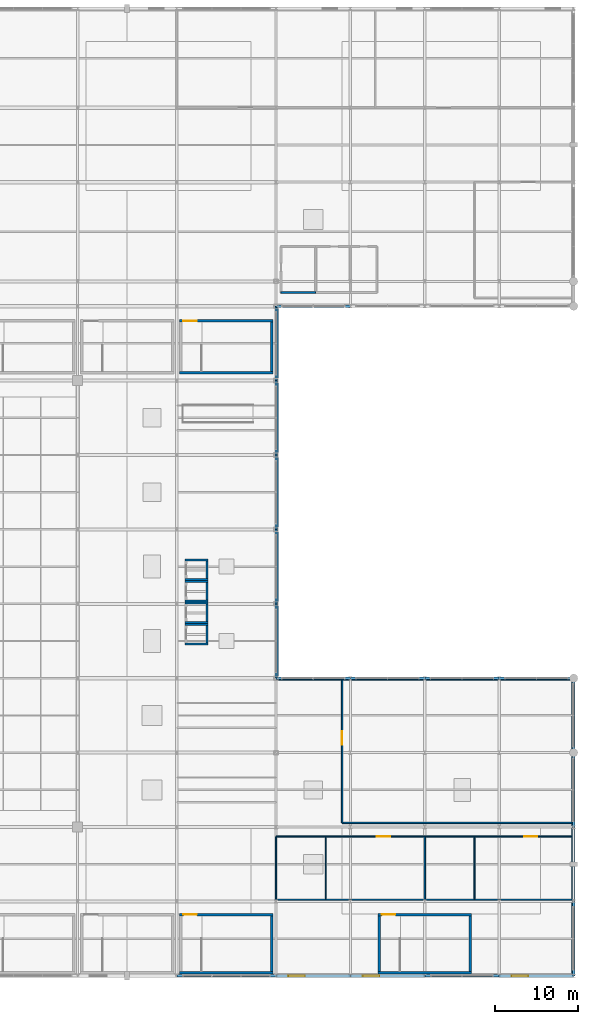
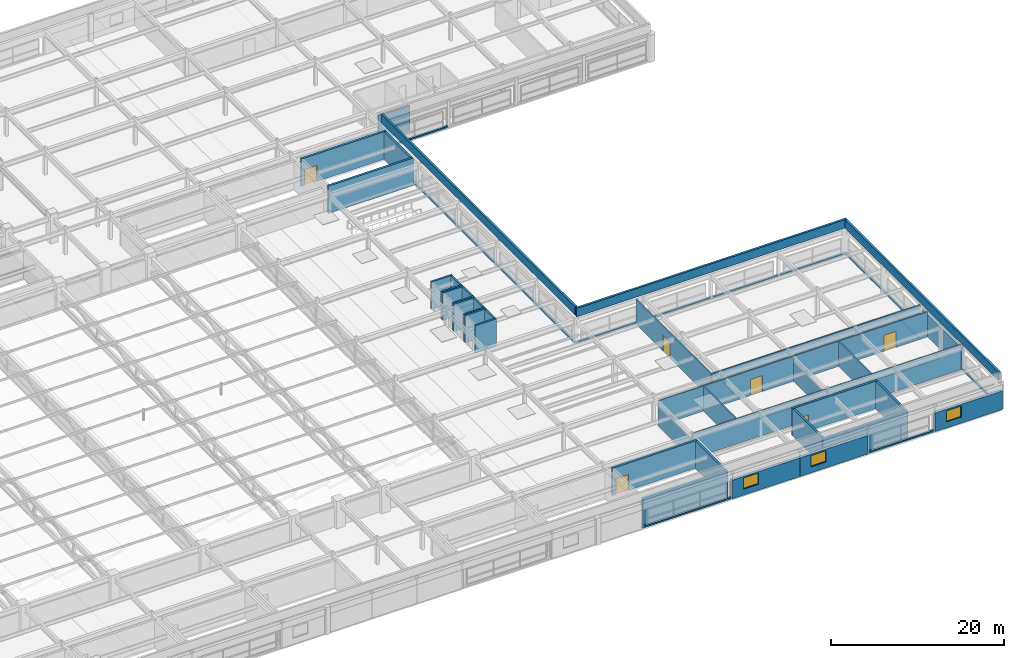
# One storey, part 97 of 108: 55 walls, 6 doors, 3 windows, 9 openings.
"""IFC4 building model written with IfcOpenShell, lengths in metres."""

import ifcopenshell
import ifcopenshell.guid

model = None  # the IFC model being written
_history = None  # IfcOwnerHistory: only IFC2X3 demands one
_inside = {}  # id of a spatial element -> (the spatial element, [elements in it])
_under = {}  # id of a project, library or spatial element -> (it, [spatial elements below it])
_declared = {}  # id of a project -> (the project, [libraries it declares])
_typed = {}  # id of a type object -> (the type object, [elements of that type])
_made_of = {}  # id of a material, layer set ... -> (it, [elements and type objects made of it])


def new_model(schema):
    """Start an empty IFC model of exactly this schema.

    Asked for "IFC4X3", IfcOpenShell would pick the latest addendum, in which some entities
    have other attributes; the version numbers below select the first issue.
    IFC2X3 requires an IfcOwnerHistory on every rooted entity: one is made here for all.
    """
    global model, _history
    if schema == "IFC4X3":
        model = ifcopenshell.file(schema_version=(4, 3, 0, 0))
    else:
        model = ifcopenshell.file(schema=schema)
    _inside.clear()
    _under.clear()
    _declared.clear()
    _typed.clear()
    _made_of.clear()
    _history = None
    if model.schema == "IFC2X3":
        org = make("IfcOrganization", Name="unknown")
        user = make(
            "IfcPersonAndOrganization",
            ThePerson=make("IfcPerson", FamilyName="unknown"),
            TheOrganization=org,
        )
        app = make(
            "IfcApplication",
            ApplicationDeveloper=org,
            Version="unknown",
            ApplicationFullName="unknown",
            ApplicationIdentifier="unknown",
        )
        _history = make(
            "IfcOwnerHistory",
            OwningUser=user,
            OwningApplication=app,
            ChangeAction="ADDED",
            CreationDate=0,
        )
    return model


def make(cls, **values):
    """One entity of the class cls with the attributes given. An attribute that is None is left unset."""
    return model.create_entity(
        cls, **{name: value for name, value in values.items() if value is not None}
    )


def rooted(cls, **values):
    """An entity with a GlobalId (a new one), such as an element, a storey or a relation."""
    return make(cls, GlobalId=ifcopenshell.guid.new(), OwnerHistory=_history, **values)


def si_unit(unit_type, name, prefix=None):
    """IfcSIUnit, for example si_unit("LENGTHUNIT", "METRE", prefix="MILLI")."""
    return make("IfcSIUnit", UnitType=unit_type, Prefix=prefix, Name=name)


def assignment(units):
    """IfcUnitAssignment: the units of a project."""
    return None if units is None else make("IfcUnitAssignment", Units=units)


def point(xyz):
    """IfcCartesianPoint."""
    return None if xyz is None else make("IfcCartesianPoint", Coordinates=xyz)


def direction(xyz):
    """IfcDirection."""
    return None if xyz is None else make("IfcDirection", DirectionRatios=xyz)


def frame(location, z_axis=None, x_axis=None):
    """IfcAxis2Placement3D, a coordinate frame: its origin and axes. An axis left out is left unset."""
    return make(
        "IfcAxis2Placement3D",
        Location=point(location),
        Axis=direction(z_axis),
        RefDirection=direction(x_axis),
    )


def frame_2d(location, x_axis=None):
    """IfcAxis2Placement2D, a coordinate frame in the plane: its origin and x axis."""
    return make(
        "IfcAxis2Placement2D", Location=point(location), RefDirection=direction(x_axis)
    )


def origin():
    """The frame at (0, 0, 0) with its axes left unset."""
    return frame((0.0, 0.0, 0.0))


def place(relative_to, where):
    """IfcLocalPlacement: puts the frame where relative to a parent placement (None: the world)."""
    return make(
        "IfcLocalPlacement", PlacementRelTo=relative_to, RelativePlacement=where
    )


def context(
    kind, dimensions, precision=None, world=None, true_north=None, identifier=None
):
    """IfcGeometricRepresentationContext, for example the 3D "Model" context."""
    return make(
        "IfcGeometricRepresentationContext",
        ContextIdentifier=identifier,
        ContextType=kind,
        CoordinateSpaceDimension=dimensions,
        Precision=precision,
        WorldCoordinateSystem=world,
        TrueNorth=true_north,
    )


def subcontext(parent, identifier, kind, view, scale=None):
    """IfcGeometricRepresentationSubContext, for example "Body" below "Model"."""
    return make(
        "IfcGeometricRepresentationSubContext",
        ContextIdentifier=identifier,
        ContextType=kind,
        ParentContext=parent,
        TargetScale=scale,
        TargetView=view,
    )


def project(units=None, contexts=None):
    """IfcProject with its units and contexts."""
    return rooted(
        "IfcProject",
        Name="project",
        RepresentationContexts=contexts,
        UnitsInContext=assignment(units),
    )


def spatial(cls, under=None, at=None, **own):
    """A site, building, storey or space (cls), placed at a placement, below another one or the project."""
    s = rooted(cls, ObjectPlacement=at, **own)
    if under is not None:
        _under.setdefault(under.id(), (under, []))[1].append(s)
    return s


def profile(cls, at=None, kind="AREA", **sizes):
    """A parametric profile (cls). Its sizes go by their IFC names, for example OverallWidth=200.0."""
    return make(cls, ProfileType=kind, Position=at, **sizes)


def rectangle(**sizes):
    """IfcRectangleProfileDef."""
    return profile("IfcRectangleProfileDef", **sizes)


def extrude(swept, where, along, depth):
    """IfcExtrudedAreaSolid: the profile swept, set in the frame where, extruded along a direction by depth."""
    return make(
        "IfcExtrudedAreaSolid",
        SweptArea=swept,
        Position=where,
        ExtrudedDirection=direction(along),
        Depth=depth,
    )


def shape(context_of_items, identifier, shape_type, items):
    """IfcShapeRepresentation: the items that make up one representation, for example the "Body"."""
    return make(
        "IfcShapeRepresentation",
        ContextOfItems=context_of_items,
        RepresentationIdentifier=identifier,
        RepresentationType=shape_type,
        Items=items,
    )


def material(Name=None, Category=None):
    """IfcMaterial."""
    return make("IfcMaterial", Name=Name, Category=Category)


def layer(
    of_material, thickness, ventilated=None, Name=None, Category=None, Priority=None
):
    """IfcMaterialLayer: one layer of a wall or slab, of a material (None: an air gap)."""
    return make(
        "IfcMaterialLayer",
        Material=of_material,
        LayerThickness=thickness,
        IsVentilated=ventilated,
        Name=Name,
        Category=Category,
        Priority=Priority,
    )


def layer_set(layers, Name=None):
    """IfcMaterialLayerSet."""
    return make("IfcMaterialLayerSet", MaterialLayers=layers, LayerSetName=Name)


def made_of(thing, what):
    """Note that an element or type object is made of a material, layer set ...; save() writes the relation."""
    if what is not None:
        _made_of.setdefault(what.id(), (what, []))[1].append(thing)
    return thing


def type_object(cls, material=None, **own):
    """A type object (cls), such as IfcWallType, which elements share."""
    return made_of(rooted(cls, **own), material)


def element(
    cls,
    number,
    at=None,
    inside=None,
    cuts=None,
    type_object=None,
    material=None,
    context=None,
    identifier="Body",
    shape_type=None,
    held_by="IfcProductDefinitionShape",
    body=None,
    shapes=None,
    **own,
):
    """One element of the class cls, such as IfcWall. Its Tag is "e" and its number.

    at: its placement. inside: the storey or other place that contains it. cuts: it is an
    opening in that element (IfcRelVoidsElement). A single representation is given by context,
    identifier, shape_type and body (its items); several are given by shapes. held_by: the class
    of the entity that holds the representations. save() writes the other relations.
    """
    e = rooted(cls, Tag="e%d" % number, ObjectPlacement=at, **own)
    if body is not None:
        shapes = [shape(context, identifier, shape_type, body)]
    if shapes is not None:
        e.Representation = make(held_by, Representations=shapes)
    if inside is not None:
        _inside.setdefault(inside.id(), (inside, []))[1].append(e)
    if cuts is not None:
        rooted(
            "IfcRelVoidsElement", RelatingBuildingElement=cuts, RelatedOpeningElement=e
        )
    if type_object is not None:
        _typed.setdefault(type_object.id(), (type_object, []))[1].append(e)
    return made_of(e, material)


def fill(opening, filler):
    """IfcRelFillsElement: the door or window that sits in an opening."""
    return rooted(
        "IfcRelFillsElement",
        RelatingOpeningElement=opening,
        RelatedBuildingElement=filler,
    )


def aggregate(whole, parts):
    """IfcRelAggregates: a whole, such as a stair, and the parts it consists of."""
    return rooted("IfcRelAggregates", RelatingObject=whole, RelatedObjects=parts)


def save(model, path):
    """Write the relations noted so far, then the file.

    IfcRelAggregates (storeys below a building ...), IfcRelContainedInSpatialStructure (elements
    in a storey), IfcRelDefinesByType, IfcRelAssociatesMaterial and IfcRelDeclares: one each for
    every whole, place, type object, material and project.
    """
    for whole, parts in _under.values():
        aggregate(whole, parts)
    for where, things in _inside.values():
        rooted(
            "IfcRelContainedInSpatialStructure",
            RelatedElements=things,
            RelatingStructure=where,
        )
    for kind, things in _typed.values():
        rooted("IfcRelDefinesByType", RelatedObjects=things, RelatingType=kind)
    for what, things in _made_of.values():
        rooted("IfcRelAssociatesMaterial", RelatedObjects=things, RelatingMaterial=what)
    for by, libraries in _declared.values():
        rooted("IfcRelDeclares", RelatingContext=by, RelatedDefinitions=libraries)
    model.write(path)


model = new_model("IFC4")

# Units and contexts
model_context = context("Model", 3, precision=1e-05, world=origin(), true_north=direction((0.0, 1.0)))
body_context = subcontext(model_context, "Body", "Model", "MODEL_VIEW")
ifc_project = project(units=[si_unit("LENGTHUNIT", "METRE"), si_unit("AREAUNIT", "SQUARE_METRE"), si_unit("VOLUMEUNIT", "CUBIC_METRE"), si_unit("PLANEANGLEUNIT", "RADIAN"), si_unit("MASSUNIT", "GRAM", prefix="KILO")], contexts=[model_context])

# Site, building, storey
site_placement = place(None, origin())
site = spatial("IfcSite", under=ifc_project, at=site_placement, CompositionType="ELEMENT")
building_placement = place(site_placement, origin())
building = spatial("IfcBuilding", under=site, at=building_placement, Name="Kaldorvane Square Convention Centre", CompositionType="ELEMENT")
storey_placement = place(building_placement, frame((0.0, 0.0, 23.399993896484375)))
storey = spatial("IfcBuildingStorey", under=building, at=storey_placement, Name="L04", CompositionType="ELEMENT", Elevation=23.399993896484375)

# Wall
ifc_material_1 = material(Name="Fire-Rated Gypsum Board on Acoustic Steel Studs", Category="steel")
ifc_layer_1 = layer(ifc_material_1, 0.1999969482421875)
ifc_layer_set_1 = layer_set([ifc_layer_1], Name="Fire-Rated Gypsum Board on Acoustic Steel Studs")
wall_type_1 = type_object("IfcWallType", Name="WL-CORR-200", PredefinedType="PARTITIONING", material=ifc_layer_set_1)
wall_1_placement = place(storey_placement, frame((138.60000610351562, 82.64999389648438, 0.0), z_axis=(0.0, 0.0, 1.0), x_axis=(1.0, 0.0, 0.0)))
element("IfcWall", 1, at=wall_1_placement, inside=storey, type_object=wall_type_1, Name="East Concourse Men's Restroom (L04) S Wall", PredefinedType="PARTITIONING", context=body_context, shape_type="SweptSolid", body=[
    extrude(rectangle(XDim=4.1999969482421875, YDim=0.1999969482421875, at=frame_2d((2.100006103515625, 0.0))), origin(), (0.0, 0.0, 1.0), 3.529998779296875),
])

# Wall, opening, window
ifc_material_2 = material(Name="Concrete f'c = 42 MPa (Normalweight)", Category="concrete")
ifc_layer_2 = layer(ifc_material_2, 0.3800048828125)
ifc_layer_set_2 = layer_set([ifc_layer_2], Name="Concrete f'c = 42 MPa (Normalweight)")
wall_type_2 = type_object("IfcWallType", Name="WL-EXT-380", PredefinedType="STANDARD", material=ifc_layer_set_2)
wall_2_placement = place(storey_placement, frame((138.0, 0.0, 0.0), z_axis=(0.0, 0.0, 1.0), x_axis=(1.0, 0.0, 0.0)))
wall_2 = element("IfcWall", 2, at=wall_2_placement, inside=storey, type_object=wall_type_2, Name="South Square Brutalist Facade Wall (L04)", PredefinedType="STANDARD", context=body_context, shape_type="SweptSolid", body=[
    extrude(rectangle(XDim=9.0, YDim=0.3800048828125, at=frame_2d((4.5, 0.0))), origin(), (0.0, 0.0, 1.0), 2.626007080078125),
])
opening_1_placement = place(wall_2_placement, frame((1.5, 0.0, 0.850006103515625)))
opening_1 = element("IfcOpeningElement", 3, at=opening_1_placement, cuts=wall_2, Name="Opening W-21", PredefinedType="OPENING", context=body_context, shape_type="SweptSolid", body=[
    extrude(rectangle(XDim=2.0, YDim=1.55999755859375, at=frame_2d((1.0, 0.779998779296875))), frame((0.0, 0.2050018310546875, 0.0), z_axis=(0.0, -1.0, 0.0), x_axis=(1.0, 0.0, 0.0)), (0.0, 0.0, 1.0), 0.410003662109375),
])
ifc_material_3 = material(Name="Anodized Aluminum and Low-E Insulated Glazing", Category="aluminium")
window_type = type_object("IfcWindowType", Name="WN-POD-2000X1850", PartitioningType="DOUBLE_PANEL_VERTICAL", PredefinedType="WINDOW", material=ifc_material_3)
window_1_placement = place(opening_1_placement, origin())
window_1 = element("IfcWindow", 4, at=window_1_placement, inside=storey, type_object=window_type, Name="South Facade Window (L04)", OverallHeight=1.55999755859375, OverallWidth=2.0, PartitioningType="DOUBLE_PANEL_VERTICAL", PredefinedType="WINDOW", context=body_context, shape_type="SweptSolid", body=[
    extrude(rectangle(XDim=2.0, YDim=1.55999755859375, at=frame_2d((1.0, 0.779998779296875))), frame((0.0, 0.029998779296875, 0.0), z_axis=(0.0, -1.0, 0.0), x_axis=(1.0, 0.0, 0.0)), (0.0, 0.0, 1.0), 0.05999755859375),
])
fill(opening_1, window_1)

wall_3_placement = place(storey_placement, frame((147.0, 0.0, 0.0), z_axis=(0.0, 0.0, 1.0), x_axis=(1.0, 0.0, 0.0)))
wall_3 = element("IfcWall", 5, at=wall_3_placement, inside=storey, type_object=wall_type_2, Name="South Square Brutalist Facade Wall (L04)", PredefinedType="STANDARD", context=body_context, shape_type="SweptSolid", body=[
    extrude(rectangle(XDim=9.0, YDim=0.3800048828125, at=frame_2d((4.5, 0.0))), origin(), (0.0, 0.0, 1.0), 2.626007080078125),
])
opening_2_placement = place(wall_3_placement, frame((1.5, 0.0, 0.850006103515625)))
opening_2 = element("IfcOpeningElement", 6, at=opening_2_placement, cuts=wall_3, Name="Opening W-21", PredefinedType="OPENING", context=body_context, shape_type="SweptSolid", body=[
    extrude(rectangle(XDim=2.0, YDim=1.55999755859375, at=frame_2d((1.0, 0.779998779296875))), frame((0.0, 0.2050018310546875, 0.0), z_axis=(0.0, -1.0, 0.0), x_axis=(1.0, 0.0, 0.0)), (0.0, 0.0, 1.0), 0.410003662109375),
])
window_2_placement = place(opening_2_placement, origin())
window_2 = element("IfcWindow", 7, at=window_2_placement, inside=storey, type_object=window_type, Name="South Facade Window (L04)", OverallHeight=1.55999755859375, OverallWidth=2.0, PartitioningType="DOUBLE_PANEL_VERTICAL", PredefinedType="WINDOW", context=body_context, shape_type="SweptSolid", body=[
    extrude(rectangle(XDim=2.0, YDim=1.55999755859375, at=frame_2d((1.0, 0.779998779296875))), frame((0.0, 0.029998779296875, 0.0), z_axis=(0.0, -1.0, 0.0), x_axis=(1.0, 0.0, 0.0)), (0.0, 0.0, 1.0), 0.05999755859375),
])
fill(opening_2, window_2)

wall_4_placement = place(storey_placement, frame((165.0, 0.0, 0.0), z_axis=(0.0, 0.0, 1.0), x_axis=(1.0, 0.0, 0.0)))
wall_4 = element("IfcWall", 8, at=wall_4_placement, inside=storey, type_object=wall_type_2, Name="South Square Brutalist Facade Wall (L04)", PredefinedType="STANDARD", context=body_context, shape_type="SweptSolid", body=[
    extrude(rectangle(XDim=9.0, YDim=0.3800048828125, at=frame_2d((4.5, 0.0))), origin(), (0.0, 0.0, 1.0), 2.626007080078125),
])
opening_3_placement = place(wall_4_placement, frame((1.5, 0.0, 0.850006103515625)))
opening_3 = element("IfcOpeningElement", 9, at=opening_3_placement, cuts=wall_4, Name="Opening W-21", PredefinedType="OPENING", context=body_context, shape_type="SweptSolid", body=[
    extrude(rectangle(XDim=2.0, YDim=1.55999755859375, at=frame_2d((1.0, 0.779998779296875))), frame((0.0, 0.2050018310546875, 0.0), z_axis=(0.0, -1.0, 0.0), x_axis=(1.0, 0.0, 0.0)), (0.0, 0.0, 1.0), 0.410003662109375),
])
window_3_placement = place(opening_3_placement, origin())
window_3 = element("IfcWindow", 10, at=window_3_placement, inside=storey, type_object=window_type, Name="South Facade Window (L04)", OverallHeight=1.55999755859375, OverallWidth=2.0, PartitioningType="DOUBLE_PANEL_VERTICAL", PredefinedType="WINDOW", context=body_context, shape_type="SweptSolid", body=[
    extrude(rectangle(XDim=2.0, YDim=1.55999755859375, at=frame_2d((1.0, 0.779998779296875))), frame((0.0, 0.029998779296875, 0.0), z_axis=(0.0, -1.0, 0.0), x_axis=(1.0, 0.0, 0.0)), (0.0, 0.0, 1.0), 0.05999755859375),
])
fill(opening_3, window_3)

# Walls
wall_5_placement = place(storey_placement, frame((174.0, 9.0, 0.0), z_axis=(0.0, 0.0, 1.0), x_axis=(0.0, 1.0, 0.0)))
element("IfcWall", 11, at=wall_5_placement, inside=storey, type_object=wall_type_2, Name="East Square Brutalist Wing Wall (L04)", PredefinedType="STANDARD", context=body_context, shape_type="SweptSolid", body=[
    extrude(rectangle(XDim=9.0, YDim=0.3800048828125, at=frame_2d((4.5, 0.0))), origin(), (0.0, 0.0, 1.0), 3.1190032958984375),
])
ifc_layer_3 = layer(ifc_material_1, 0.1399993896484375)
ifc_layer_set_3 = layer_set([ifc_layer_3], Name="Fire-Rated Gypsum Board on Acoustic Steel Studs")
wall_type_3 = type_object("IfcWallType", Name="WL-MOV-140", PredefinedType="MOVABLE", material=ifc_layer_set_3)
for number, where, z_axis, x_axis, name in (
    (12, (144.0, 9.25, 0.0), (0.0, 0.0, 1.0), (0.0, 1.0, 0.0), "Operable Acoustic Partition MP-41 (L04)"),
    (13, (162.0, 9.25, 0.0), (0.0, 0.0, 1.0), (0.0, 1.0, 0.0), "Operable Acoustic Partition MP-42 (L04)"),
):
    element("IfcWall", number, at=place(storey_placement, frame(where, z_axis=z_axis, x_axis=x_axis)), inside=storey, type_object=wall_type_3, Name=name, PredefinedType="MOVABLE", context=body_context, shape_type="SweptSolid", body=[
        extrude(rectangle(XDim=7.5500030517578125, YDim=0.1399993896484375, at=frame_2d((3.774993896484375, 0.0))), origin(), (0.0, 0.0, 1.0), 3.529998779296875),
    ])
ifc_material_4 = material(Name="Concrete f'c = 35 MPa (Normalweight)", Category="concrete")
ifc_layer_4 = layer(ifc_material_4, 0.279998779296875)
ifc_layer_set_4 = layer_set([ifc_layer_4], Name="Concrete f'c = 35 MPa (Normalweight)")
wall_type_4 = type_object("IfcWallType", Name="WL-PAR-280", PredefinedType="PARAPET", material=ifc_layer_set_4)
wall_6_placement = place(storey_placement, frame((126.0, 0.0, 0.0), z_axis=(0.0, 0.0, 1.0), x_axis=(1.0, 0.0, 0.0)))
element("IfcWall", 14, at=wall_6_placement, inside=storey, type_object=wall_type_4, Name="Curtain-Wall Sill Kerb (L04)", PredefinedType="PARAPET", context=body_context, shape_type="SweptSolid", body=[
    extrude(rectangle(XDim=12.0, YDim=0.279998779296875, at=frame_2d((6.0, 0.0))), origin(), (0.0, 0.0, 1.0), 0.20001220703125),
])
for number, where, z_axis, x_axis, name in (
    (15, (156.0, 0.0, 0.0), (0.0, 0.0, 1.0), (1.0, 0.0, 0.0), "Curtain-Wall Sill Kerb (L04)"),
    (16, (174.0, 0.0, 0.0), (0.0, 0.0, 1.0), (0.0, 1.0, 0.0), "East Curtain-Wall Sill Kerb (L04)"),
    (17, (174.0, 18.0, 0.0), (0.0, 0.0, 1.0), (0.0, 1.0, 0.0), "East Curtain-Wall Sill Kerb (L04)"),
    (18, (174.0, 27.0, 0.0), (0.0, 0.0, 1.0), (0.0, 1.0, 0.0), "East Curtain-Wall Sill Kerb (L04)"),
    (19, (147.0, 36.0, 0.0), (0.0, 0.0, 1.0), (-1.0, 0.0, 0.0), "Forecourt Glazing Sill (L04)"),
    (20, (156.0, 36.0, 0.0), (0.0, 0.0, 1.0), (-1.0, 0.0, 0.0), "Forecourt Glazing Sill (L04)"),
    (21, (165.0, 36.0, 0.0), (0.0, 0.0, 1.0), (-1.0, 0.0, 0.0), "Forecourt Glazing Sill (L04)"),
    (22, (174.0, 36.0, 0.0), (0.0, 0.0, 1.0), (-1.0, 0.0, 0.0), "Forecourt Glazing Sill (L04)"),
    (23, (138.0, 36.0, 0.0), (0.0, 0.0, 1.0), (0.0, 1.0, 0.0), "Forecourt Glazing Sill (L04)"),
    (24, (138.0, 45.0, 0.0), (0.0, 0.0, 1.0), (0.0, 1.0, 0.0), "Forecourt Glazing Sill (L04)"),
    (25, (138.0, 54.0, 0.0), (0.0, 0.0, 1.0), (0.0, 1.0, 0.0), "Forecourt Glazing Sill (L04)"),
    (26, (138.0, 63.0, 0.0), (0.0, 0.0, 1.0), (0.0, 1.0, 0.0), "Forecourt Glazing Sill (L04)"),
    (27, (138.0, 72.0, 0.0), (0.0, 0.0, 1.0), (0.0, 1.0, 0.0), "Forecourt Glazing Sill (L04)"),
    (28, (138.0, 81.0, 0.0), (0.0, 0.0, 1.0), (1.0, 0.0, 0.0), "Forecourt Glazing Sill (L04)"),
):
    element("IfcWall", number, at=place(storey_placement, frame(where, z_axis=z_axis, x_axis=x_axis)), inside=storey, type_object=wall_type_4, Name=name, PredefinedType="PARAPET", context=body_context, shape_type="SweptSolid", body=[
        extrude(rectangle(XDim=9.0, YDim=0.279998779296875, at=frame_2d((4.5, 0.0))), origin(), (0.0, 0.0, 1.0), 0.20001220703125),
    ])
wall_7_placement = place(storey_placement, frame((173.86000061035156, 0.279998779296875, 3.850006103515625), z_axis=(0.0, 0.0, 1.0), x_axis=(0.0, 1.0, 0.0)))
element("IfcWall", 29, at=wall_7_placement, inside=storey, type_object=wall_type_4, Name="Podium Roof Parapet ES", PredefinedType="PARAPET", context=body_context, shape_type="SweptSolid", body=[
    extrude(rectangle(XDim=35.44000244140625, YDim=0.279998779296875, at=frame_2d((17.720001220703125, 0.0))), origin(), (0.0, 0.0, 1.0), 1.1999969482421875),
])
wall_8_placement = place(storey_placement, frame((174.0, 35.86000061035156, 3.850006103515625), z_axis=(0.0, 0.0, 1.0), x_axis=(-1.0, 0.0, 0.0)))
element("IfcWall", 30, at=wall_8_placement, inside=storey, type_object=wall_type_4, Name="Podium Roof Parapet FS", PredefinedType="PARAPET", context=body_context, shape_type="SweptSolid", body=[
    extrude(rectangle(XDim=36.0, YDim=0.279998779296875, at=frame_2d((18.0, 0.0))), origin(), (0.0, 0.0, 1.0), 1.1999969482421875),
])
wall_9_placement = place(storey_placement, frame((138.13999938964844, 36.13999938964844, 3.850006103515625), z_axis=(0.0, 0.0, 1.0), x_axis=(0.0, 1.0, 0.0)))
element("IfcWall", 31, at=wall_9_placement, inside=storey, type_object=wall_type_4, Name="Podium Roof Parapet FW", PredefinedType="PARAPET", context=body_context, shape_type="SweptSolid", body=[
    extrude(rectangle(XDim=44.720001220703125, YDim=0.279998779296875, at=frame_2d((22.360000610351562, 0.0))), origin(), (0.0, 0.0, 1.0), 1.1999969482421875),
])
ifc_layer_5 = layer(ifc_material_1, 0.1649932861328125)
ifc_layer_set_5 = layer_set([ifc_layer_5], Name="Fire-Rated Gypsum Board on Acoustic Steel Studs")
wall_type_5 = type_object("IfcWallType", Name="WL-PART-165", PredefinedType="PARTITIONING", material=ifc_layer_set_5)
wall_10_placement = place(storey_placement, frame((138.0, 9.199996948242188, 0.0), z_axis=(0.0, 0.0, 1.0), x_axis=(1.0, 0.0, 0.0)))
element("IfcWall", 32, at=wall_10_placement, inside=storey, type_object=wall_type_5, Name="Meeting Room 405 S Wall", PredefinedType="PARTITIONING", context=body_context, shape_type="SweptSolid", body=[
    extrude(rectangle(XDim=18.0, YDim=0.1649932861328125, at=frame_2d((9.0, 0.0))), origin(), (0.0, 0.0, 1.0), 3.529998779296875),
])
wall_11_placement = place(storey_placement, frame((156.0, 9.199996948242188, 0.0), z_axis=(0.0, 0.0, 1.0), x_axis=(0.0, 1.0, 0.0)))
element("IfcWall", 33, at=wall_11_placement, inside=storey, type_object=wall_type_5, Name="Meeting Room 405 E Wall", PredefinedType="PARTITIONING", context=body_context, shape_type="SweptSolid", body=[
    extrude(rectangle(XDim=7.6500091552734375, YDim=0.1649932861328125, at=frame_2d((3.82501220703125, 0.0))), origin(), (0.0, 0.0, 1.0), 2.76300048828125),
])

# Wall, opening, door
wall_12_placement = place(storey_placement, frame((156.0, 16.850006103515625, 0.0), z_axis=(0.0, 0.0, 1.0), x_axis=(-1.0, 0.0, 0.0)))
wall_12 = element("IfcWall", 34, at=wall_12_placement, inside=storey, type_object=wall_type_5, Name="Meeting Room 405 N Wall", PredefinedType="PARTITIONING", context=body_context, shape_type="SweptSolid", body=[
    extrude(rectangle(XDim=18.0, YDim=0.1649932861328125, at=frame_2d((9.0, 0.0))), origin(), (0.0, 0.0, 1.0), 3.529998779296875),
])
opening_4_placement = place(wall_12_placement, frame((4.1999969482421875, 0.0, 0.0)))
opening_4 = element("IfcOpeningElement", 35, at=opening_4_placement, cuts=wall_12, Name="Opening ID-07", PredefinedType="OPENING", context=body_context, shape_type="SweptSolid", body=[
    extrude(rectangle(XDim=1.600006103515625, YDim=2.25, at=frame_2d((0.8000030517578125, 1.125))), frame((0.0, 0.097503662109375, 0.0), z_axis=(0.0, -1.0, 0.0), x_axis=(1.0, 0.0, 0.0)), (0.0, 0.0, 1.0), 0.1949920654296875),
])
ifc_material_5 = material(Name="Architectural Solid-Core White Oak")
door_type_1 = type_object("IfcDoorType", Name="DR-MEET-1600X2250", OperationType="DOUBLE_DOOR_SINGLE_SWING", PredefinedType="DOOR", material=ifc_material_5)
door_1_placement = place(opening_4_placement, origin())
door_1 = element("IfcDoor", 36, at=door_1_placement, inside=storey, type_object=door_type_1, Name="Meeting Room 405 Door 1", OperationType="DOUBLE_DOOR_SINGLE_SWING", OverallHeight=2.25, OverallWidth=1.600006103515625, PredefinedType="DOOR", context=body_context, shape_type="SweptSolid", body=[
    extrude(rectangle(XDim=1.600006103515625, YDim=2.25, at=frame_2d((0.8000030517578125, 1.125))), frame((0.0, 0.024993896484375, 0.0), z_axis=(0.0, -1.0, 0.0), x_axis=(1.0, 0.0, 0.0)), (0.0, 0.0, 1.0), 0.0500030517578125),
])
fill(opening_4, door_1)

# Walls
wall_13_placement = place(storey_placement, frame((138.0, 16.850006103515625, 0.0), z_axis=(0.0, 0.0, 1.0), x_axis=(0.0, -1.0, 0.0)))
element("IfcWall", 37, at=wall_13_placement, inside=storey, type_object=wall_type_5, Name="Meeting Room 405 W Wall", PredefinedType="PARTITIONING", context=body_context, shape_type="SweptSolid", body=[
    extrude(rectangle(XDim=7.6500091552734375, YDim=0.1649932861328125, at=frame_2d((3.82501220703125, 0.0))), origin(), (0.0, 0.0, 1.0), 2.76300048828125),
])
wall_14_placement = place(storey_placement, frame((156.0, 9.199996948242188, 0.0), z_axis=(0.0, 0.0, 1.0), x_axis=(1.0, 0.0, 0.0)))
element("IfcWall", 38, at=wall_14_placement, inside=storey, type_object=wall_type_5, Name="Meeting Room 406 S Wall", PredefinedType="PARTITIONING", context=body_context, shape_type="SweptSolid", body=[
    extrude(rectangle(XDim=17.80999755859375, YDim=0.1649932861328125, at=frame_2d((8.904998779296875, 0.0))), origin(), (0.0, 0.0, 1.0), 3.529998779296875),
])

# Wall, opening, door
wall_15_placement = place(storey_placement, frame((173.80999755859375, 16.850006103515625, 0.0), z_axis=(0.0, 0.0, 1.0), x_axis=(-1.0, 0.0, 0.0)))
wall_15 = element("IfcWall", 39, at=wall_15_placement, inside=storey, type_object=wall_type_5, Name="Meeting Room 406 N Wall", PredefinedType="PARTITIONING", context=body_context, shape_type="SweptSolid", body=[
    extrude(rectangle(XDim=17.80999755859375, YDim=0.1649932861328125, at=frame_2d((8.904998779296875, 0.0))), origin(), (0.0, 0.0, 1.0), 3.529998779296875),
])
opening_5_placement = place(wall_15_placement, frame((4.1999969482421875, 0.0, 0.0)))
opening_5 = element("IfcOpeningElement", 40, at=opening_5_placement, cuts=wall_15, Name="Opening ID-07", PredefinedType="OPENING", context=body_context, shape_type="SweptSolid", body=[
    extrude(rectangle(XDim=1.600006103515625, YDim=2.25, at=frame_2d((0.8000030517578125, 1.125))), frame((0.0, 0.097503662109375, 0.0), z_axis=(0.0, -1.0, 0.0), x_axis=(1.0, 0.0, 0.0)), (0.0, 0.0, 1.0), 0.1949920654296875),
])
door_2_placement = place(opening_5_placement, origin())
door_2 = element("IfcDoor", 41, at=door_2_placement, inside=storey, type_object=door_type_1, Name="Meeting Room 406 Door 1", OperationType="DOUBLE_DOOR_SINGLE_SWING", OverallHeight=2.25, OverallWidth=1.600006103515625, PredefinedType="DOOR", context=body_context, shape_type="SweptSolid", body=[
    extrude(rectangle(XDim=1.600006103515625, YDim=2.25, at=frame_2d((0.8000030517578125, 1.125))), frame((0.0, 0.024993896484375, 0.0), z_axis=(0.0, -1.0, 0.0), x_axis=(1.0, 0.0, 0.0)), (0.0, 0.0, 1.0), 0.0500030517578125),
])
fill(opening_5, door_2)

# Wall
wall_16_placement = place(storey_placement, frame((146.0, 18.5, 0.0), z_axis=(0.0, 0.0, 1.0), x_axis=(1.0, 0.0, 0.0)))
element("IfcWall", 42, at=wall_16_placement, inside=storey, type_object=wall_type_5, Name="Meeting Room 407 S Wall", PredefinedType="PARTITIONING", context=body_context, shape_type="SweptSolid", body=[
    extrude(rectangle(XDim=27.80999755859375, YDim=0.1649932861328125, at=frame_2d((13.904998779296875, 0.0))), origin(), (0.0, 0.0, 1.0), 3.529998779296875),
])

# Wall, opening, door
wall_17_placement = place(storey_placement, frame((146.0, 35.80000305175781, 0.0), z_axis=(0.0, 0.0, 1.0), x_axis=(0.0, -1.0, 0.0)))
wall_17 = element("IfcWall", 43, at=wall_17_placement, inside=storey, type_object=wall_type_5, Name="Meeting Room 407 W Wall", PredefinedType="PARTITIONING", context=body_context, shape_type="SweptSolid", body=[
    extrude(rectangle(XDim=17.300003051757812, YDim=0.1649932861328125, at=frame_2d((8.649993896484375, 0.0))), origin(), (0.0, 0.0, 1.0), 3.529998779296875),
])
opening_6_placement = place(wall_17_placement, frame((6.2299957275390625, 0.0, 0.0)))
opening_6 = element("IfcOpeningElement", 44, at=opening_6_placement, cuts=wall_17, Name="Opening ID-07", PredefinedType="OPENING", context=body_context, shape_type="SweptSolid", body=[
    extrude(rectangle(XDim=1.600006103515625, YDim=2.25, at=frame_2d((0.8000030517578125, 1.125))), frame((0.0, 0.097503662109375, 0.0), z_axis=(0.0, -1.0, 0.0), x_axis=(1.0, 0.0, 0.0)), (0.0, 0.0, 1.0), 0.1949920654296875),
])
door_3_placement = place(opening_6_placement, origin())
door_3 = element("IfcDoor", 45, at=door_3_placement, inside=storey, type_object=door_type_1, Name="Meeting Room 407 Door 1", OperationType="DOUBLE_DOOR_SINGLE_SWING", OverallHeight=2.25, OverallWidth=1.600006103515625, PredefinedType="DOOR", context=body_context, shape_type="SweptSolid", body=[
    extrude(rectangle(XDim=1.600006103515625, YDim=2.25, at=frame_2d((0.8000030517578125, 1.125))), frame((0.0, 0.024993896484375, 0.0), z_axis=(0.0, -1.0, 0.0), x_axis=(1.0, 0.0, 0.0)), (0.0, 0.0, 1.0), 0.0500030517578125),
])
fill(opening_6, door_3)

# Wall
ifc_material_6 = material(Name="Concrete f'c = 55 MPa (Normalweight)", Category="concrete")
ifc_layer_6 = layer(ifc_material_6, 0.3000030517578125)
ifc_layer_set_6 = layer_set([ifc_layer_6], Name="Concrete f'c = 55 MPa (Normalweight)")
wall_type_6 = type_object("IfcWallType", Name="WL-SHAFT-300", PredefinedType="SHEAR", material=ifc_layer_set_6)
wall_18_placement = place(storey_placement, frame((137.66000366210938, 0.399993896484375, 0.0), z_axis=(0.0, 0.0, 1.0), x_axis=(-1.0, 0.0, 0.0)))
element("IfcWall", 46, at=wall_18_placement, inside=storey, type_object=wall_type_6, Name="Core Enclosure Wall stair:ST-C10-S (L04)", PredefinedType="SHEAR", context=body_context, shape_type="SweptSolid", body=[
    extrude(rectangle(XDim=11.32000732421875, YDim=0.3000030517578125, at=frame_2d((5.660003662109375, 0.0))), origin(), (0.0, 0.0, 1.0), 3.850006103515625),
])

# Wall, opening, door
wall_19_placement = place(storey_placement, frame((137.66000366210938, 7.410003662109375, 0.0), z_axis=(0.0, 0.0, 1.0), x_axis=(-1.0, 0.0, 0.0)))
wall_19 = element("IfcWall", 47, at=wall_19_placement, inside=storey, type_object=wall_type_6, Name="Core Enclosure Wall stair:ST-C10-N (L04)", PredefinedType="SHEAR", context=body_context, shape_type="SweptSolid", body=[
    extrude(rectangle(XDim=11.32000732421875, YDim=0.3000030517578125, at=frame_2d((5.660003662109375, 0.0))), origin(), (0.0, 0.0, 1.0), 3.850006103515625),
])
opening_7_placement = place(wall_19_placement, frame((9.220001220703125, 0.0, 0.0)))
opening_7 = element("IfcOpeningElement", 48, at=opening_7_placement, cuts=wall_19, Name="Opening FD90-S2", PredefinedType="OPENING", context=body_context, shape_type="SweptSolid", body=[
    extrude(rectangle(XDim=1.649993896484375, YDim=2.25, at=frame_2d((0.8249969482421875, 1.125))), frame((0.0, 0.165008544921875, 0.0), z_axis=(0.0, -1.0, 0.0), x_axis=(1.0, 0.0, 0.0)), (0.0, 0.0, 1.0), 0.3300018310546875),
])
ifc_material_7 = material(Name="Fire-Rated Hollow Metal Steel", Category="steel")
door_type_2 = type_object("IfcDoorType", Name="DR-STAIR-1650", OperationType="DOUBLE_DOOR_SINGLE_SWING", PredefinedType="DOOR", material=ifc_material_7)
door_4_placement = place(opening_7_placement, origin())
door_4 = element("IfcDoor", 49, at=door_4_placement, inside=storey, type_object=door_type_2, Name="Convention Exit Stair C10 Fire Door (L04)", OperationType="DOUBLE_DOOR_SINGLE_SWING", OverallHeight=2.25, OverallWidth=1.649993896484375, PredefinedType="DOOR", context=body_context, shape_type="SweptSolid", body=[
    extrude(rectangle(XDim=1.649993896484375, YDim=2.25, at=frame_2d((0.8249969482421875, 1.125))), frame((0.0, 0.024993896484375, 0.0), z_axis=(0.0, -1.0, 0.0), x_axis=(1.0, 0.0, 0.0)), (0.0, 0.0, 1.0), 0.0500030517578125),
])
fill(opening_7, door_4)

# Walls
wall_20_placement = place(storey_placement, frame((137.50999450683594, 0.5500030517578125, 0.0), z_axis=(0.0, 0.0, 1.0), x_axis=(0.0, 1.0, 0.0)))
element("IfcWall", 50, at=wall_20_placement, inside=storey, type_object=wall_type_6, Name="Core Enclosure Wall stair:ST-C10-E (L04)", PredefinedType="SHEAR", context=body_context, shape_type="SweptSolid", body=[
    extrude(rectangle(XDim=6.709991455078125, YDim=0.3000030517578125, at=frame_2d((3.3549957275390625, 0.0))), origin(), (0.0, 0.0, 1.0), 3.850006103515625),
])
wall_21_placement = place(storey_placement, frame((161.66000366210938, 0.399993896484375, 0.0), z_axis=(0.0, 0.0, 1.0), x_axis=(-1.0, 0.0, 0.0)))
element("IfcWall", 51, at=wall_21_placement, inside=storey, type_object=wall_type_6, Name="Core Enclosure Wall stair:ST-C11-S (L04)", PredefinedType="SHEAR", context=body_context, shape_type="SweptSolid", body=[
    extrude(rectangle(XDim=11.32000732421875, YDim=0.3000030517578125, at=frame_2d((5.660003662109375, 0.0))), origin(), (0.0, 0.0, 1.0), 3.850006103515625),
])

# Wall, opening, door
wall_22_placement = place(storey_placement, frame((161.66000366210938, 7.410003662109375, 0.0), z_axis=(0.0, 0.0, 1.0), x_axis=(-1.0, 0.0, 0.0)))
wall_22 = element("IfcWall", 52, at=wall_22_placement, inside=storey, type_object=wall_type_6, Name="Core Enclosure Wall stair:ST-C11-N (L04)", PredefinedType="SHEAR", context=body_context, shape_type="SweptSolid", body=[
    extrude(rectangle(XDim=11.32000732421875, YDim=0.3000030517578125, at=frame_2d((5.660003662109375, 0.0))), origin(), (0.0, 0.0, 1.0), 3.850006103515625),
])
opening_8_placement = place(wall_22_placement, frame((9.220001220703125, 0.0, 0.0)))
opening_8 = element("IfcOpeningElement", 53, at=opening_8_placement, cuts=wall_22, Name="Opening FD90-S2", PredefinedType="OPENING", context=body_context, shape_type="SweptSolid", body=[
    extrude(rectangle(XDim=1.649993896484375, YDim=2.25, at=frame_2d((0.8249969482421875, 1.125))), frame((0.0, 0.165008544921875, 0.0), z_axis=(0.0, -1.0, 0.0), x_axis=(1.0, 0.0, 0.0)), (0.0, 0.0, 1.0), 0.3300018310546875),
])
door_5_placement = place(opening_8_placement, origin())
door_5 = element("IfcDoor", 54, at=door_5_placement, inside=storey, type_object=door_type_2, Name="Convention Exit Stair C11 Fire Door (L04)", OperationType="DOUBLE_DOOR_SINGLE_SWING", OverallHeight=2.25, OverallWidth=1.649993896484375, PredefinedType="DOOR", context=body_context, shape_type="SweptSolid", body=[
    extrude(rectangle(XDim=1.649993896484375, YDim=2.25, at=frame_2d((0.8249969482421875, 1.125))), frame((0.0, 0.024993896484375, 0.0), z_axis=(0.0, -1.0, 0.0), x_axis=(1.0, 0.0, 0.0)), (0.0, 0.0, 1.0), 0.0500030517578125),
])
fill(opening_8, door_5)

# Walls
for number, where, z_axis, x_axis, name in (
    (55, (150.49000549316406, 7.2599945068359375, 0.0), (0.0, 0.0, 1.0), (0.0, -1.0, 0.0), "Core Enclosure Wall stair:ST-C11-W (L04)"),
    (56, (161.50999450683594, 0.5500030517578125, 0.0), (0.0, 0.0, 1.0), (0.0, 1.0, 0.0), "Core Enclosure Wall stair:ST-C11-E (L04)"),
):
    element("IfcWall", number, at=place(storey_placement, frame(where, z_axis=z_axis, x_axis=x_axis)), inside=storey, type_object=wall_type_6, Name=name, PredefinedType="SHEAR", context=body_context, shape_type="SweptSolid", body=[
        extrude(rectangle(XDim=6.709991455078125, YDim=0.3000030517578125, at=frame_2d((3.3549957275390625, 0.0))), origin(), (0.0, 0.0, 1.0), 3.850006103515625),
    ])
wall_23_placement = place(storey_placement, frame((126.33999633789062, 72.94999694824219, 0.0), z_axis=(0.0, 0.0, 1.0), x_axis=(1.0, 0.0, 0.0)))
element("IfcWall", 57, at=wall_23_placement, inside=storey, type_object=wall_type_6, Name="Core Enclosure Wall stair:ST-C18-S (L04)", PredefinedType="SHEAR", context=body_context, shape_type="SweptSolid", body=[
    extrude(rectangle(XDim=11.32000732421875, YDim=0.3000030517578125, at=frame_2d((5.660003662109375, 0.0))), origin(), (0.0, 0.0, 1.0), 3.850006103515625),
])

# Wall, opening, door
wall_24_placement = place(storey_placement, frame((137.66000366210938, 79.21000671386719, 0.0), z_axis=(0.0, 0.0, 1.0), x_axis=(-1.0, 0.0, 0.0)))
wall_24 = element("IfcWall", 58, at=wall_24_placement, inside=storey, type_object=wall_type_6, Name="Core Enclosure Wall stair:ST-C18-N (L04)", PredefinedType="SHEAR", context=body_context, shape_type="SweptSolid", body=[
    extrude(rectangle(XDim=11.32000732421875, YDim=0.3000030517578125, at=frame_2d((5.660003662109375, 0.0))), origin(), (0.0, 0.0, 1.0), 3.850006103515625),
])
opening_9_placement = place(wall_24_placement, frame((9.220001220703125, 0.0, 0.0)))
opening_9 = element("IfcOpeningElement", 59, at=opening_9_placement, cuts=wall_24, Name="Opening FD90-S2", PredefinedType="OPENING", context=body_context, shape_type="SweptSolid", body=[
    extrude(rectangle(XDim=1.649993896484375, YDim=2.25, at=frame_2d((0.8249969482421875, 1.125))), frame((0.0, 0.165008544921875, 0.0), z_axis=(0.0, -1.0, 0.0), x_axis=(1.0, 0.0, 0.0)), (0.0, 0.0, 1.0), 0.3300018310546875),
])
door_6_placement = place(opening_9_placement, origin())
door_6 = element("IfcDoor", 60, at=door_6_placement, inside=storey, type_object=door_type_2, Name="Convention Exit Stair C18 Fire Door (L04)", OperationType="DOUBLE_DOOR_SINGLE_SWING", OverallHeight=2.25, OverallWidth=1.649993896484375, PredefinedType="DOOR", context=body_context, shape_type="SweptSolid", body=[
    extrude(rectangle(XDim=1.649993896484375, YDim=2.25, at=frame_2d((0.8249969482421875, 1.125))), frame((0.0, 0.024993896484375, 0.0), z_axis=(0.0, -1.0, 0.0), x_axis=(1.0, 0.0, 0.0)), (0.0, 0.0, 1.0), 0.0500030517578125),
])
fill(opening_9, door_6)

# Walls
wall_25_placement = place(storey_placement, frame((137.50999450683594, 73.10000610351562, 0.0), z_axis=(0.0, 0.0, 1.0), x_axis=(0.0, 1.0, 0.0)))
element("IfcWall", 61, at=wall_25_placement, inside=storey, type_object=wall_type_6, Name="Core Enclosure Wall stair:ST-C18-E (L04)", PredefinedType="SHEAR", context=body_context, shape_type="SweptSolid", body=[
    extrude(rectangle(XDim=5.959991455078125, YDim=0.3000030517578125, at=frame_2d((2.9799957275390625, 0.0))), origin(), (0.0, 0.0, 1.0), 3.850006103515625),
])
for number, where, z_axis, x_axis, name in (
    (62, (127.0, 40.125, 0.0), (0.0, 0.0, 1.0), (1.0, 0.0, 0.0), "Core Enclosure Wall lift:EL-C1-S (L04)"),
    (63, (129.8000030517578, 42.475006103515625, 0.0), (0.0, 0.0, 1.0), (-1.0, 0.0, 0.0), "Core Enclosure Wall lift:EL-C1-N (L04)"),
):
    element("IfcWall", number, at=place(storey_placement, frame(where, z_axis=z_axis, x_axis=x_axis)), inside=storey, type_object=wall_type_6, Name=name, PredefinedType="SHEAR", context=body_context, shape_type="SweptSolid", body=[
        extrude(rectangle(XDim=2.8000030517578125, YDim=0.25, at=frame_2d((1.399993896484375, 0.0))), origin(), (0.0, 0.0, 1.0), 3.850006103515625),
    ])
wall_26_placement = place(storey_placement, frame((129.6750030517578, 40.25, 0.0), z_axis=(0.0, 0.0, 1.0), x_axis=(0.0, 1.0, 0.0)))
element("IfcWall", 64, at=wall_26_placement, inside=storey, type_object=wall_type_6, Name="Core Enclosure Wall lift:EL-C1-E (L04)", PredefinedType="SHEAR", context=body_context, shape_type="SweptSolid", body=[
    extrude(rectangle(XDim=2.100006103515625, YDim=0.25, at=frame_2d((1.0500030517578125, 0.0))), origin(), (0.0, 0.0, 1.0), 3.850006103515625),
])
for number, where, z_axis, x_axis, name in (
    (65, (127.0, 42.725006103515625, 0.0), (0.0, 0.0, 1.0), (1.0, 0.0, 0.0), "Core Enclosure Wall lift:EL-C2-S (L04)"),
    (66, (129.8000030517578, 45.07499694824219, 0.0), (0.0, 0.0, 1.0), (-1.0, 0.0, 0.0), "Core Enclosure Wall lift:EL-C2-N (L04)"),
):
    element("IfcWall", number, at=place(storey_placement, frame(where, z_axis=z_axis, x_axis=x_axis)), inside=storey, type_object=wall_type_6, Name=name, PredefinedType="SHEAR", context=body_context, shape_type="SweptSolid", body=[
        extrude(rectangle(XDim=2.8000030517578125, YDim=0.25, at=frame_2d((1.399993896484375, 0.0))), origin(), (0.0, 0.0, 1.0), 3.850006103515625),
    ])
wall_27_placement = place(storey_placement, frame((129.6750030517578, 42.850006103515625, 0.0), z_axis=(0.0, 0.0, 1.0), x_axis=(0.0, 1.0, 0.0)))
element("IfcWall", 67, at=wall_27_placement, inside=storey, type_object=wall_type_6, Name="Core Enclosure Wall lift:EL-C2-E (L04)", PredefinedType="SHEAR", context=body_context, shape_type="SweptSolid", body=[
    extrude(rectangle(XDim=2.0999908447265625, YDim=0.25, at=frame_2d((1.04998779296875, 0.0))), origin(), (0.0, 0.0, 1.0), 3.850006103515625),
])
for number, where, z_axis, x_axis, name in (
    (68, (127.0, 45.32499694824219, 0.0), (0.0, 0.0, 1.0), (1.0, 0.0, 0.0), "Core Enclosure Wall lift:EL-C3-S (L04)"),
    (69, (129.8000030517578, 47.67500305175781, 0.0), (0.0, 0.0, 1.0), (-1.0, 0.0, 0.0), "Core Enclosure Wall lift:EL-C3-N (L04)"),
):
    element("IfcWall", number, at=place(storey_placement, frame(where, z_axis=z_axis, x_axis=x_axis)), inside=storey, type_object=wall_type_6, Name=name, PredefinedType="SHEAR", context=body_context, shape_type="SweptSolid", body=[
        extrude(rectangle(XDim=2.8000030517578125, YDim=0.25, at=frame_2d((1.399993896484375, 0.0))), origin(), (0.0, 0.0, 1.0), 3.850006103515625),
    ])
wall_28_placement = place(storey_placement, frame((129.6750030517578, 45.44999694824219, 0.0), z_axis=(0.0, 0.0, 1.0), x_axis=(0.0, 1.0, 0.0)))
element("IfcWall", 70, at=wall_28_placement, inside=storey, type_object=wall_type_6, Name="Core Enclosure Wall lift:EL-C3-E (L04)", PredefinedType="SHEAR", context=body_context, shape_type="SweptSolid", body=[
    extrude(rectangle(XDim=2.100006103515625, YDim=0.25, at=frame_2d((1.0500030517578125, 0.0))), origin(), (0.0, 0.0, 1.0), 3.850006103515625),
])
for number, where, z_axis, x_axis, name in (
    (71, (127.0, 47.92500305175781, 0.0), (0.0, 0.0, 1.0), (1.0, 0.0, 0.0), "Core Enclosure Wall lift:EL-C4-S (L04)"),
    (72, (129.8000030517578, 50.274993896484375, 0.0), (0.0, 0.0, 1.0), (-1.0, 0.0, 0.0), "Core Enclosure Wall lift:EL-C4-N (L04)"),
):
    element("IfcWall", number, at=place(storey_placement, frame(where, z_axis=z_axis, x_axis=x_axis)), inside=storey, type_object=wall_type_6, Name=name, PredefinedType="SHEAR", context=body_context, shape_type="SweptSolid", body=[
        extrude(rectangle(XDim=2.8000030517578125, YDim=0.25, at=frame_2d((1.399993896484375, 0.0))), origin(), (0.0, 0.0, 1.0), 3.850006103515625),
    ])
wall_29_placement = place(storey_placement, frame((129.6750030517578, 48.05000305175781, 0.0), z_axis=(0.0, 0.0, 1.0), x_axis=(0.0, 1.0, 0.0)))
element("IfcWall", 73, at=wall_29_placement, inside=storey, type_object=wall_type_6, Name="Core Enclosure Wall lift:EL-C4-E (L04)", PredefinedType="SHEAR", context=body_context, shape_type="SweptSolid", body=[
    extrude(rectangle(XDim=2.0999908447265625, YDim=0.25, at=frame_2d((1.04998779296875, 0.0))), origin(), (0.0, 0.0, 1.0), 3.850006103515625),
])

save(model, "model.ifc")
